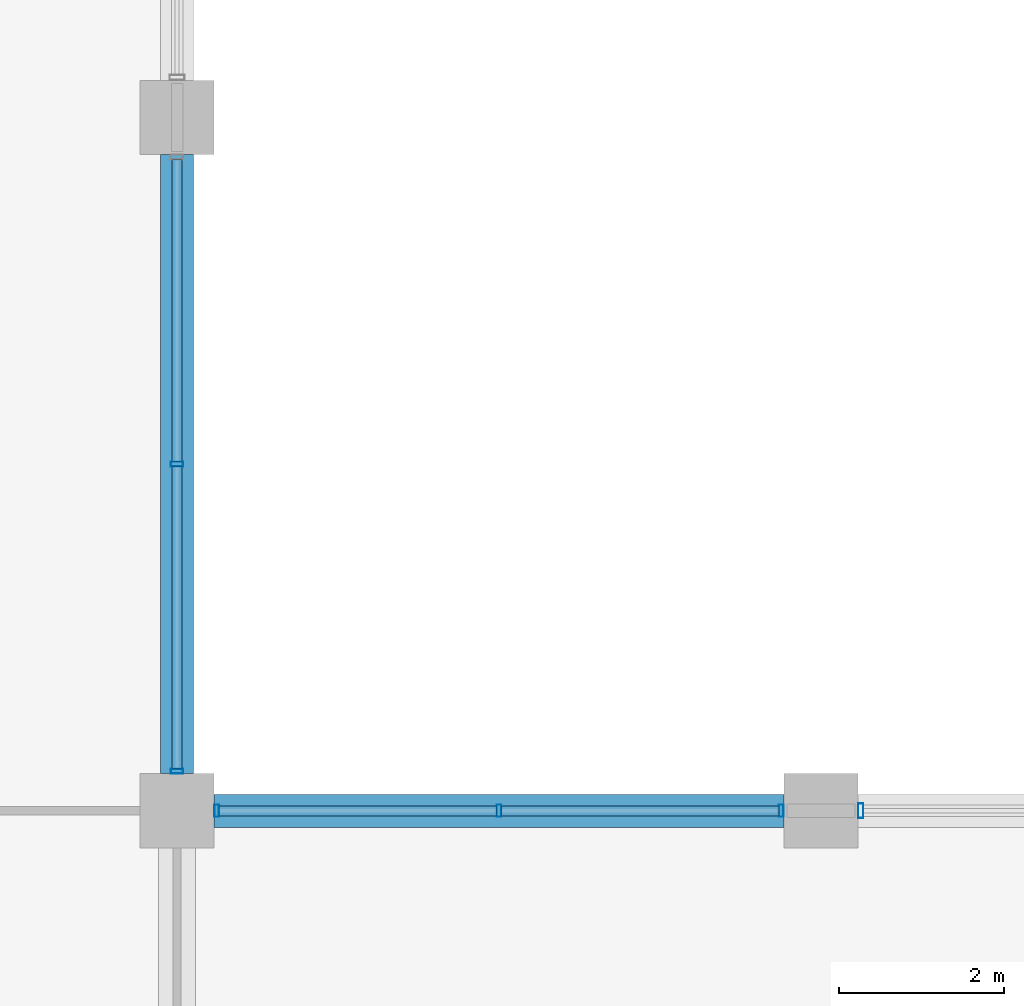
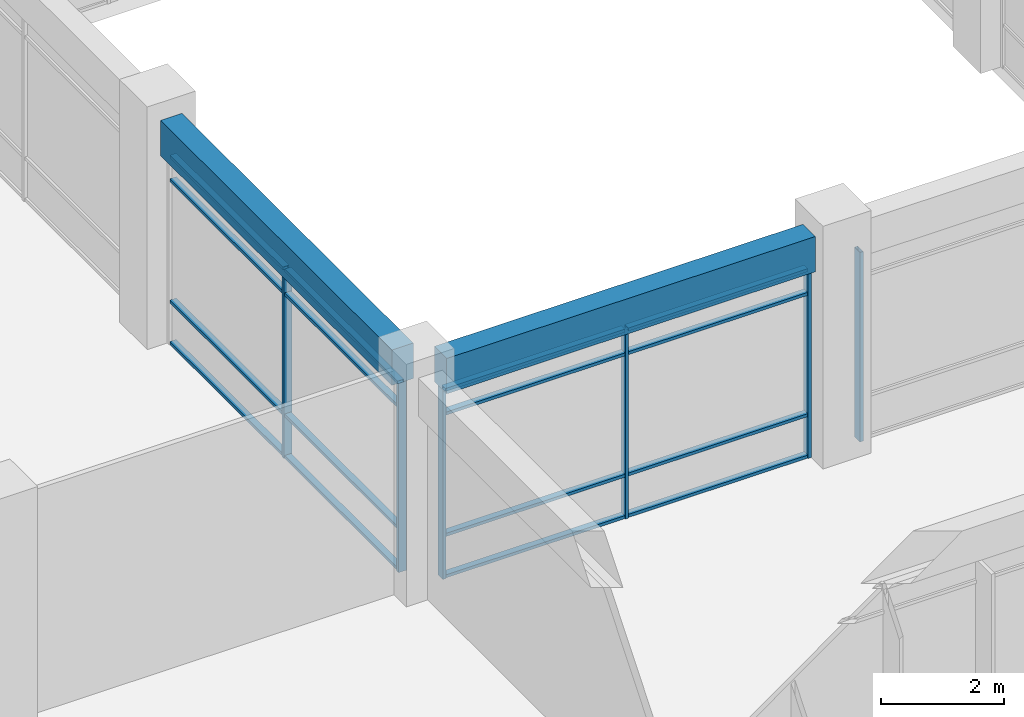
# One storey, part 21 of 79: 22 members, 2 beams, 3 elements without a shape of their own.
"""IFC4 building model written with IfcOpenShell, lengths in metres."""

from ifc_helpers import new_model, si_unit, direction, frame, origin, origin_2d, place, context, subcontext, project, spatial, rectangle, hollow_rectangle, extrude, material, material_profile, profile_set, type_object, element, aggregate, save


model = new_model("IFC4")

# Units and contexts
model_context = context("Model", 3, precision=1e-05, world=origin(), true_north=direction((0.0, 1.0)))
body_context = subcontext(model_context, "Body", "Model", "MODEL_VIEW")
ifc_project = project(units=[si_unit("LENGTHUNIT", "METRE"), si_unit("AREAUNIT", "SQUARE_METRE"), si_unit("VOLUMEUNIT", "CUBIC_METRE"), si_unit("PLANEANGLEUNIT", "RADIAN"), si_unit("MASSUNIT", "GRAM", prefix="KILO"), si_unit("THERMODYNAMICTEMPERATUREUNIT", "KELVIN"), si_unit("POWERUNIT", "WATT")], contexts=[model_context])

# Site, building, storey
site_placement = place(None, origin())
site = spatial("IfcSite", under=ifc_project, at=site_placement, CompositionType="ELEMENT")
building_placement = place(site_placement, origin())
building = spatial("IfcBuilding", under=site, at=building_placement, Name="Srebrne Nadtorze General Hospital", CompositionType="ELEMENT")
storey_placement = place(building_placement, frame((0.0, 0.0, 4.800048828125)))
storey = spatial("IfcBuildingStorey", under=building, at=storey_placement, Name="L01", CompositionType="ELEMENT", Elevation=4.800048828125)

# Curtain wall, members
ifc_material_1 = material(Name="Anodised Aluminium", Category="aluminium")
curtain_wall_type_1 = type_object("IfcCurtainWallType", Name="Unitised curtain wall 6900x3750", PredefinedType="NOTDEFINED", material=ifc_material_1)
curtain_wall_1_placement = place(storey_placement, origin())
curtain_wall_1 = element("IfcCurtainWall", 1, at=curtain_wall_1_placement, inside=storey, type_object=curtain_wall_type_1, Name="Curtain wall CW-040", PredefinedType="NOTDEFINED")
ifc_material_2 = material(Name="Anodised Aluminium", Category="aluminium")
ifc_material_profile_1 = material_profile(ifc_material_2, hollow_rectangle(XDim=0.06005859375, YDim=0.14990234375, WallThickness=0.00390625, at=origin_2d()), Name="AL-MUL-60x150")
ifc_profile_set_1 = profile_set([ifc_material_profile_1], Name="Anodised Aluminium")
member_type_1 = type_object("IfcMemberType", Name="Curtain mullion 60x150", PredefinedType="MULLION", material=ifc_profile_set_1)
member_1_placement = place(storey_placement, frame((117.47998046875, 8.39990234375, 0.0), z_axis=(0.0, 0.0, 1.0), x_axis=(1.0, 0.0, 0.0)))
member_1 = element("IfcMember", 2, at=member_1_placement, type_object=member_type_1, Name="CW-040 mullion 1", PredefinedType="MULLION", context=body_context, shape_type="SweptSolid", body=[
    extrude(hollow_rectangle(XDim=0.06005859375, YDim=0.14990234375, WallThickness=0.00390625, at=origin_2d()), origin(), (0.0, 0.0, 1.0), 3.75),
])
member_2_placement = place(storey_placement, frame((120.89990234375, 8.39990234375, 0.0), z_axis=(0.0, 0.0, 1.0), x_axis=(1.0, 0.0, 0.0)))
member_2 = element("IfcMember", 3, at=member_2_placement, type_object=member_type_1, Name="CW-040 mullion 2", PredefinedType="MULLION", context=body_context, shape_type="SweptSolid", body=[
    extrude(hollow_rectangle(XDim=0.06005859375, YDim=0.14990234375, WallThickness=0.00390625, at=origin_2d()), origin(), (0.0, 0.0, 1.0), 3.75),
])
member_3_placement = place(storey_placement, frame((124.320068359375, 8.39990234375, 0.0), z_axis=(0.0, 0.0, 1.0), x_axis=(1.0, 0.0, 0.0)))
member_3 = element("IfcMember", 4, at=member_3_placement, type_object=member_type_1, Name="CW-040 mullion 3", PredefinedType="MULLION", context=body_context, shape_type="SweptSolid", body=[
    extrude(hollow_rectangle(XDim=0.06005859375, YDim=0.14990234375, WallThickness=0.00390625, at=origin_2d()), origin(), (0.0, 0.0, 1.0), 3.75),
])

ifc_material_3 = material(Name="Anodised Aluminium", Category="aluminium")
curtain_wall_type_2 = type_object("IfcCurtainWallType", Name="Unitised curtain wall 7500x3750", PredefinedType="NOTDEFINED", material=ifc_material_3)
curtain_wall_2_placement = place(storey_placement, origin())
curtain_wall_2 = element("IfcCurtainWall", 5, at=curtain_wall_2_placement, inside=storey, type_object=curtain_wall_type_2, Name="Curtain wall CW-062", PredefinedType="NOTDEFINED")
member_4_placement = place(storey_placement, frame((117.0, 8.8798828125, 0.0), z_axis=(0.0, 0.0, 1.0), x_axis=(0.0, 1.0, 0.0)))
member_4 = element("IfcMember", 6, at=member_4_placement, type_object=member_type_1, Name="CW-062 mullion 1", PredefinedType="MULLION", context=body_context, shape_type="SweptSolid", body=[
    extrude(hollow_rectangle(XDim=0.06005859375, YDim=0.14990234375, WallThickness=0.00390625, at=origin_2d()), origin(), (0.0, 0.0, 1.0), 3.75),
])
member_5_placement = place(storey_placement, frame((117.0, 12.60009765625, 0.0), z_axis=(0.0, 0.0, 1.0), x_axis=(0.0, 1.0, 0.0)))
member_5 = element("IfcMember", 7, at=member_5_placement, type_object=member_type_1, Name="CW-062 mullion 2", PredefinedType="MULLION", context=body_context, shape_type="SweptSolid", body=[
    extrude(hollow_rectangle(XDim=0.06005859375, YDim=0.14990234375, WallThickness=0.00390625, at=origin_2d()), origin(), (0.0, 0.0, 1.0), 3.75),
])

# Curtain wall, member
curtain_wall_3_placement = place(storey_placement, origin())
curtain_wall_3 = element("IfcCurtainWall", 8, at=curtain_wall_3_placement, inside=storey, type_object=curtain_wall_type_1, Name="Curtain wall CW-041", PredefinedType="NOTDEFINED")
ifc_material_4 = material(Name="Anodised Aluminium", Category="aluminium")
ifc_material_profile_2 = material_profile(ifc_material_4, hollow_rectangle(XDim=0.06494140625, YDim=0.179931640625, WallThickness=0.00390625, at=origin_2d()), Name="AL-MUL-65x180")
ifc_profile_set_2 = profile_set([ifc_material_profile_2], Name="Anodised Aluminium")
member_type_2 = type_object("IfcMemberType", Name="Curtain mullion 65x180", PredefinedType="MULLION", material=ifc_profile_set_2)
member_6_placement = place(storey_placement, frame((125.282470703125, 8.39990234375, 0.0), z_axis=(0.0, 0.0, 1.0), x_axis=(1.0, 0.0, 0.0)))
member_6 = element("IfcMember", 9, at=member_6_placement, type_object=member_type_2, Name="CW-041 mullion 1", PredefinedType="MULLION", context=body_context, shape_type="SweptSolid", body=[
    extrude(hollow_rectangle(XDim=0.06494140625, YDim=0.179931640625, WallThickness=0.00390625, at=origin_2d()), origin(), (0.0, 0.0, 1.0), 3.75),
])
aggregate(curtain_wall_3, [member_6])

# Member
ifc_material_5 = material(Name="Anodised Aluminium", Category="aluminium")
ifc_material_profile_3 = material_profile(ifc_material_5, hollow_rectangle(XDim=0.06005859375, YDim=0.1201171875, WallThickness=0.00390625, at=origin_2d()), Name="AL-TRN-60x120")
ifc_profile_set_3 = profile_set([ifc_material_profile_3], Name="Anodised Aluminium")
member_type_3 = type_object("IfcMemberType", Name="Curtain transom 60x120", PredefinedType="USERDEFINED", material=ifc_profile_set_3)
member_7_placement = place(storey_placement, frame((117.510009765625, 8.39990234375, 0.030029296875), z_axis=(1.0, 0.0, 0.0), x_axis=(0.0, 0.0, 1.0)))
member_7 = element("IfcMember", 10, at=member_7_placement, type_object=member_type_3, Name="CW-040 transom 1.1", ObjectType="TRANSOM", PredefinedType="USERDEFINED", context=body_context, shape_type="SweptSolid", body=[
    extrude(hollow_rectangle(XDim=0.06005859375, YDim=0.1201171875, WallThickness=0.00390625, at=origin_2d()), origin(), (0.0, 0.0, 1.0), 3.360107421875),
])

member_8_placement = place(storey_placement, frame((117.510009765625, 8.39990234375, 0.849853515625), z_axis=(1.0, 0.0, 0.0), x_axis=(0.0, 0.0, 1.0)))
member_8 = element("IfcMember", 11, at=member_8_placement, type_object=member_type_3, Name="CW-040 transom 1.2", ObjectType="TRANSOM", PredefinedType="USERDEFINED", context=body_context, shape_type="SweptSolid", body=[
    extrude(hollow_rectangle(XDim=0.06005859375, YDim=0.1201171875, WallThickness=0.00390625, at=origin_2d()), origin(), (0.0, 0.0, 1.0), 3.360107421875),
])

member_9_placement = place(storey_placement, frame((117.510009765625, 8.39990234375, 3.25), z_axis=(1.0, 0.0, 0.0), x_axis=(0.0, 0.0, 1.0)))
member_9 = element("IfcMember", 12, at=member_9_placement, type_object=member_type_3, Name="CW-040 transom 1.3", ObjectType="TRANSOM", PredefinedType="USERDEFINED", context=body_context, shape_type="SweptSolid", body=[
    extrude(hollow_rectangle(XDim=0.06005859375, YDim=0.1201171875, WallThickness=0.00390625, at=origin_2d()), origin(), (0.0, 0.0, 1.0), 3.360107421875),
])

member_10_placement = place(storey_placement, frame((117.510009765625, 8.39990234375, 3.719970703125), z_axis=(1.0, 0.0, 0.0), x_axis=(0.0, 0.0, 1.0)))
member_10 = element("IfcMember", 13, at=member_10_placement, type_object=member_type_3, Name="CW-040 transom 1.4", ObjectType="TRANSOM", PredefinedType="USERDEFINED", context=body_context, shape_type="SweptSolid", body=[
    extrude(hollow_rectangle(XDim=0.06005859375, YDim=0.1201171875, WallThickness=0.00390625, at=origin_2d()), origin(), (0.0, 0.0, 1.0), 3.360107421875),
])

member_11_placement = place(storey_placement, frame((120.929931640625, 8.39990234375, 0.030029296875), z_axis=(1.0, 0.0, 0.0), x_axis=(0.0, 0.0, 1.0)))
member_11 = element("IfcMember", 14, at=member_11_placement, type_object=member_type_3, Name="CW-040 transom 2.1", ObjectType="TRANSOM", PredefinedType="USERDEFINED", context=body_context, shape_type="SweptSolid", body=[
    extrude(hollow_rectangle(XDim=0.06005859375, YDim=0.1201171875, WallThickness=0.00390625, at=origin_2d()), origin(), (0.0, 0.0, 1.0), 3.360107421875),
])

member_12_placement = place(storey_placement, frame((120.929931640625, 8.39990234375, 0.849853515625), z_axis=(1.0, 0.0, 0.0), x_axis=(0.0, 0.0, 1.0)))
member_12 = element("IfcMember", 15, at=member_12_placement, type_object=member_type_3, Name="CW-040 transom 2.2", ObjectType="TRANSOM", PredefinedType="USERDEFINED", context=body_context, shape_type="SweptSolid", body=[
    extrude(hollow_rectangle(XDim=0.06005859375, YDim=0.1201171875, WallThickness=0.00390625, at=origin_2d()), origin(), (0.0, 0.0, 1.0), 3.360107421875),
])

member_13_placement = place(storey_placement, frame((120.929931640625, 8.39990234375, 3.25), z_axis=(1.0, 0.0, 0.0), x_axis=(0.0, 0.0, 1.0)))
member_13 = element("IfcMember", 16, at=member_13_placement, type_object=member_type_3, Name="CW-040 transom 2.3", ObjectType="TRANSOM", PredefinedType="USERDEFINED", context=body_context, shape_type="SweptSolid", body=[
    extrude(hollow_rectangle(XDim=0.06005859375, YDim=0.1201171875, WallThickness=0.00390625, at=origin_2d()), origin(), (0.0, 0.0, 1.0), 3.360107421875),
])

member_14_placement = place(storey_placement, frame((120.929931640625, 8.39990234375, 3.719970703125), z_axis=(1.0, 0.0, 0.0), x_axis=(0.0, 0.0, 1.0)))
member_14 = element("IfcMember", 17, at=member_14_placement, type_object=member_type_3, Name="CW-040 transom 2.4", ObjectType="TRANSOM", PredefinedType="USERDEFINED", context=body_context, shape_type="SweptSolid", body=[
    extrude(hollow_rectangle(XDim=0.06005859375, YDim=0.1201171875, WallThickness=0.00390625, at=origin_2d()), origin(), (0.0, 0.0, 1.0), 3.360107421875),
])

aggregate(curtain_wall_1, [member_1, member_2, member_3, member_7, member_8, member_9, member_10, member_11, member_12, member_13, member_14])

member_15_placement = place(storey_placement, frame((117.0, 8.909912109375, 0.030029296875), z_axis=(0.0, 1.0, 0.0), x_axis=(0.0, 0.0, 1.0)))
member_15 = element("IfcMember", 18, at=member_15_placement, type_object=member_type_3, Name="CW-062 transom 1.1", ObjectType="TRANSOM", PredefinedType="USERDEFINED", context=body_context, shape_type="SweptSolid", body=[
    extrude(hollow_rectangle(XDim=0.06005859375, YDim=0.1201171875, WallThickness=0.00390625, at=origin_2d()), origin(), (0.0, 0.0, 1.0), 3.66015625),
])

member_16_placement = place(storey_placement, frame((117.0, 8.909912109375, 0.849853515625), z_axis=(0.0, 1.0, 0.0), x_axis=(0.0, 0.0, 1.0)))
member_16 = element("IfcMember", 19, at=member_16_placement, type_object=member_type_3, Name="CW-062 transom 1.2", ObjectType="TRANSOM", PredefinedType="USERDEFINED", context=body_context, shape_type="SweptSolid", body=[
    extrude(hollow_rectangle(XDim=0.06005859375, YDim=0.1201171875, WallThickness=0.00390625, at=origin_2d()), origin(), (0.0, 0.0, 1.0), 3.66015625),
])

member_17_placement = place(storey_placement, frame((117.0, 8.909912109375, 3.25), z_axis=(0.0, 1.0, 0.0), x_axis=(0.0, 0.0, 1.0)))
member_17 = element("IfcMember", 20, at=member_17_placement, type_object=member_type_3, Name="CW-062 transom 1.3", ObjectType="TRANSOM", PredefinedType="USERDEFINED", context=body_context, shape_type="SweptSolid", body=[
    extrude(hollow_rectangle(XDim=0.06005859375, YDim=0.1201171875, WallThickness=0.00390625, at=origin_2d()), origin(), (0.0, 0.0, 1.0), 3.66015625),
])

member_18_placement = place(storey_placement, frame((117.0, 8.909912109375, 3.719970703125), z_axis=(0.0, 1.0, 0.0), x_axis=(0.0, 0.0, 1.0)))
member_18 = element("IfcMember", 21, at=member_18_placement, type_object=member_type_3, Name="CW-062 transom 1.4", ObjectType="TRANSOM", PredefinedType="USERDEFINED", context=body_context, shape_type="SweptSolid", body=[
    extrude(hollow_rectangle(XDim=0.06005859375, YDim=0.1201171875, WallThickness=0.00390625, at=origin_2d()), origin(), (0.0, 0.0, 1.0), 3.66015625),
])

member_19_placement = place(storey_placement, frame((117.0, 12.6298828125, 0.030029296875), z_axis=(0.0, 1.0, 0.0), x_axis=(0.0, 0.0, 1.0)))
member_19 = element("IfcMember", 22, at=member_19_placement, type_object=member_type_3, Name="CW-062 transom 2.1", ObjectType="TRANSOM", PredefinedType="USERDEFINED", context=body_context, shape_type="SweptSolid", body=[
    extrude(hollow_rectangle(XDim=0.06005859375, YDim=0.1201171875, WallThickness=0.00390625, at=origin_2d()), origin(), (0.0, 0.0, 1.0), 3.66015625),
])

member_20_placement = place(storey_placement, frame((117.0, 12.6298828125, 0.849853515625), z_axis=(0.0, 1.0, 0.0), x_axis=(0.0, 0.0, 1.0)))
member_20 = element("IfcMember", 23, at=member_20_placement, type_object=member_type_3, Name="CW-062 transom 2.2", ObjectType="TRANSOM", PredefinedType="USERDEFINED", context=body_context, shape_type="SweptSolid", body=[
    extrude(hollow_rectangle(XDim=0.06005859375, YDim=0.1201171875, WallThickness=0.00390625, at=origin_2d()), origin(), (0.0, 0.0, 1.0), 3.66015625),
])

member_21_placement = place(storey_placement, frame((117.0, 12.6298828125, 3.25), z_axis=(0.0, 1.0, 0.0), x_axis=(0.0, 0.0, 1.0)))
member_21 = element("IfcMember", 24, at=member_21_placement, type_object=member_type_3, Name="CW-062 transom 2.3", ObjectType="TRANSOM", PredefinedType="USERDEFINED", context=body_context, shape_type="SweptSolid", body=[
    extrude(hollow_rectangle(XDim=0.06005859375, YDim=0.1201171875, WallThickness=0.00390625, at=origin_2d()), origin(), (0.0, 0.0, 1.0), 3.66015625),
])

member_22_placement = place(storey_placement, frame((117.0, 12.6298828125, 3.719970703125), z_axis=(0.0, 1.0, 0.0), x_axis=(0.0, 0.0, 1.0)))
member_22 = element("IfcMember", 25, at=member_22_placement, type_object=member_type_3, Name="CW-062 transom 2.4", ObjectType="TRANSOM", PredefinedType="USERDEFINED", context=body_context, shape_type="SweptSolid", body=[
    extrude(hollow_rectangle(XDim=0.06005859375, YDim=0.1201171875, WallThickness=0.00390625, at=origin_2d()), origin(), (0.0, 0.0, 1.0), 3.66015625),
])

aggregate(curtain_wall_2, [member_4, member_5, member_15, member_16, member_17, member_18, member_19, member_20, member_21, member_22])

# Beams
ifc_material_6 = material(Name="Concrete C40/50", Category="concrete")
ifc_material_profile_4 = material_profile(ifc_material_6, rectangle(XDim=0.39990234375, YDim=0.699951171875, at=origin_2d()), Name="RC-BM-400x700")
ifc_profile_set_4 = profile_set([ifc_material_profile_4], Name="Concrete C40/50")
beam_type = type_object("IfcBeamType", Name="Edge beam RC 400x700", PredefinedType="BEAM", material=ifc_profile_set_4)
beam_1_placement = place(storey_placement, frame((117.449951171875, 8.39990234375, 4.099853515625), z_axis=(1.0, 0.0, 0.0), x_axis=(0.0, 1.0, 0.0)))
element("IfcBeam", 26, at=beam_1_placement, inside=storey, type_object=beam_type, Name="Beam BM-L01-X-0378", PredefinedType="BEAM", context=body_context, shape_type="SweptSolid", body=[
    extrude(rectangle(XDim=0.39990234375, YDim=0.699951171875, at=origin_2d()), origin(), (0.0, 0.0, 1.0), 6.900146484375),
])
beam_2_placement = place(storey_placement, frame((117.0, 8.85009765625, 4.099853515625), z_axis=(0.0, 1.0, 0.0), x_axis=(-1.0, 0.0, 0.0)))
element("IfcBeam", 27, at=beam_2_placement, inside=storey, type_object=beam_type, Name="Beam BM-L01-Y-0515", PredefinedType="BEAM", context=body_context, shape_type="SweptSolid", body=[
    extrude(rectangle(XDim=0.39990234375, YDim=0.699951171875, at=origin_2d()), origin(), (0.0, 0.0, 1.0), 7.5),
])

save(model, "model.ifc")
